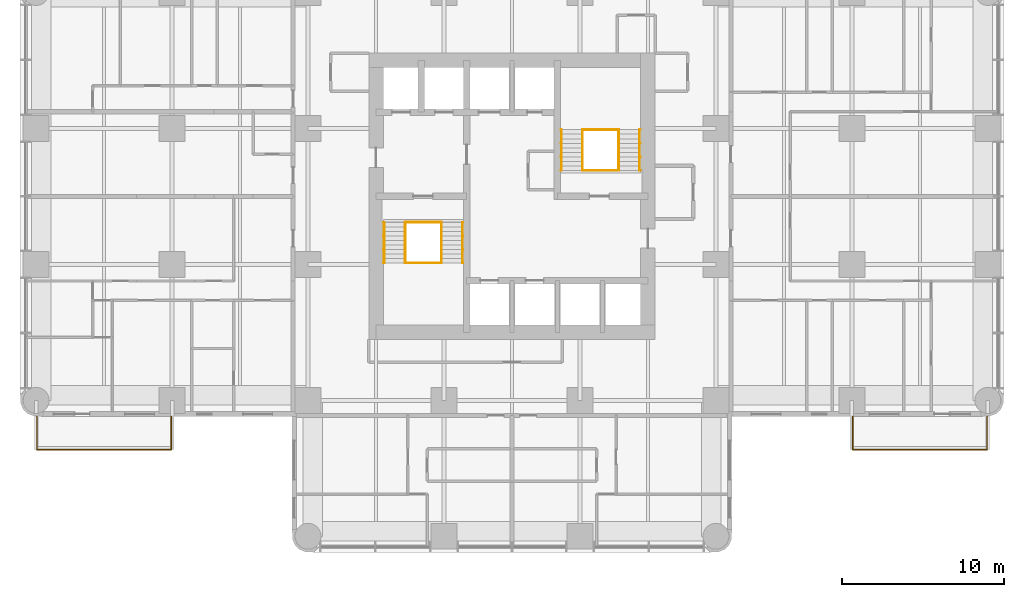
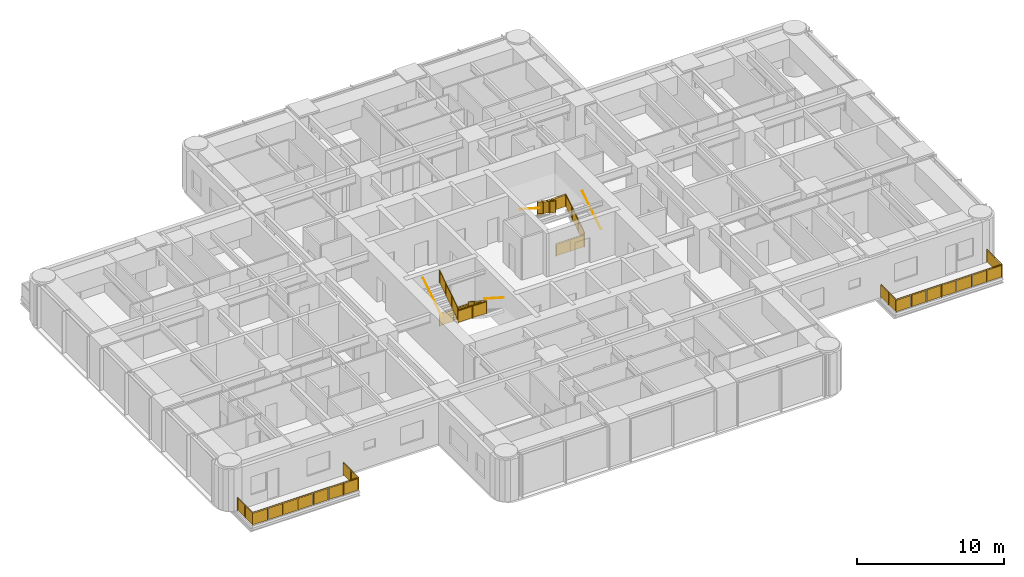
# One storey, part 13 of 14: 14 railings.
"""IFC4 building model written with IfcOpenShell, lengths in metres."""

from ifc_helpers import new_model, si_unit, direction, frame, origin, origin_2d, place, context, subcontext, project, spatial, polyline, circle, outline, extrude, material, constituent, constituent_set, type_object, element, save


model = new_model("IFC4")

# Units and contexts
model_context = context("Model", 3, precision=1e-05, world=origin(), true_north=direction((0.0, 1.0)))
body_context = subcontext(model_context, "Body", "Model", "MODEL_VIEW")
ifc_project = project(units=[si_unit("LENGTHUNIT", "METRE"), si_unit("AREAUNIT", "SQUARE_METRE"), si_unit("VOLUMEUNIT", "CUBIC_METRE"), si_unit("PLANEANGLEUNIT", "RADIAN"), si_unit("MASSUNIT", "GRAM", prefix="KILO")], contexts=[model_context])

# Site, building, storey
site_placement = place(None, origin())
site = spatial("IfcSite", under=ifc_project, at=site_placement, CompositionType="ELEMENT")
building_placement = place(site_placement, origin())
building = spatial("IfcBuilding", under=site, at=building_placement, Name="Torre Alcanfor", CompositionType="ELEMENT")
storey_placement = place(building_placement, frame((0.0, 0.0, 126.89990234375)))
storey = spatial("IfcBuildingStorey", under=building, at=storey_placement, Name="L32", CompositionType="ELEMENT", Elevation=126.89990234375)

# Railings
ifc_material_1 = material(Name="Laminated safety glass", Category="glass")
ifc_constituent_1 = constituent(ifc_material_1, Name="Infill")
ifc_material_2 = material(Name="Stainless steel ASTM A554 Grade MT 316L tube", Category="steel")
ifc_constituent_2 = constituent(ifc_material_2, Name="Posts and rail")
ifc_constituent_set = constituent_set(constituents=[ifc_constituent_1, ifc_constituent_2], Name="Balcony guard glass 1100")
railing_type_1 = type_object("IfcRailingType", Name="Balcony guard glass 1100", PredefinedType="BALUSTRADE", material=ifc_constituent_set)
railing_1_placement = place(storey_placement, frame((50.449951171875, 15.800048828125, 0.0)))
element("IfcRailing", 1, at=railing_1_placement, inside=storey, type_object=railing_type_1, Name="Balcony guard L32-E2", PredefinedType="BALUSTRADE", context=body_context, shape_type="SweptSolid", body=[
    extrude(circle(Radius=0.02392578125, at=origin_2d()), frame((0.0, 0.0, 1.076171875), z_axis=(0.0, -1.0, 0.0), x_axis=(1.0, 0.0, 0.0)), (0.0, 0.0, 1.0), 2.050048828125),
    extrude(circle(Radius=0.02392578125, at=origin_2d()), frame((0.0, -2.050048828125, 1.076171875), z_axis=(1.0, 0.0, 0.0), x_axis=(0.0, 1.0, 0.0)), (0.0, 0.0, 1.0), 8.300048828125),
    extrude(circle(Radius=0.02392578125, at=origin_2d()), frame((8.300048828125, -2.050048828125, 1.076171875), z_axis=(0.0, 1.0, 0.0), x_axis=(-1.0, 0.0, 0.0)), (0.0, 0.0, 1.0), 2.050048828125),
    extrude(circle(Radius=0.02099609375, at=origin_2d()), origin(), (0.0, 0.0, 1.0), 1.052001953125),
    extrude(circle(Radius=0.02099609375, at=origin_2d()), frame((0.0, -1.02490234375, 0.0)), (0.0, 0.0, 1.0), 1.052001953125),
    extrude(circle(Radius=0.02099609375, at=origin_2d()), frame((0.0, -2.050048828125, 0.0)), (0.0, 0.0, 1.0), 1.052001953125),
    extrude(circle(Radius=0.02099609375, at=origin_2d()), frame((1.185791015625, -2.050048828125, 0.0)), (0.0, 0.0, 1.0), 1.052001953125),
    extrude(circle(Radius=0.02099609375, at=origin_2d()), frame((2.371337890625, -2.050048828125, 0.0)), (0.0, 0.0, 1.0), 1.052001953125),
    extrude(circle(Radius=0.02099609375, at=origin_2d()), frame((3.55712890625, -2.050048828125, 0.0)), (0.0, 0.0, 1.0), 1.052001953125),
    extrude(circle(Radius=0.02099609375, at=origin_2d()), frame((4.742919921875, -2.050048828125, 0.0)), (0.0, 0.0, 1.0), 1.052001953125),
    extrude(circle(Radius=0.02099609375, at=origin_2d()), frame((5.9287109375, -2.050048828125, 0.0)), (0.0, 0.0, 1.0), 1.052001953125),
    extrude(circle(Radius=0.02099609375, at=origin_2d()), frame((7.1142578125, -2.050048828125, 0.0)), (0.0, 0.0, 1.0), 1.052001953125),
    extrude(circle(Radius=0.02099609375, at=origin_2d()), frame((8.300048828125, -2.050048828125, 0.0)), (0.0, 0.0, 1.0), 1.052001953125),
    extrude(circle(Radius=0.02099609375, at=origin_2d()), frame((8.300048828125, -1.02490234375, 0.0)), (0.0, 0.0, 1.0), 1.052001953125),
    extrude(circle(Radius=0.02099609375, at=origin_2d()), frame((8.300048828125, 0.0, 0.0)), (0.0, 0.0, 1.0), 1.052001953125),
    extrude(outline(polyline([(0.041015625, 0.050048828125), (0.984130859375, 0.050048828125), (0.984130859375, 1.001953125), (0.041015625, 1.001953125), (0.041015625, 0.050048828125)])), frame((0.005859375, 0.0, 0.0), z_axis=(-1.0, 0.0, 0.0), x_axis=(0.0, -1.0, 0.0)), (0.0, 0.0, 1.0), 0.011962890625),
    extrude(outline(polyline([(1.06591796875, 0.050048828125), (2.009033203125, 0.050048828125), (2.009033203125, 1.001953125), (1.06591796875, 1.001953125), (1.06591796875, 0.050048828125)])), frame((0.005859375, 0.0, 0.0), z_axis=(-1.0, 0.0, 0.0), x_axis=(0.0, -1.0, 0.0)), (0.0, 0.0, 1.0), 0.011962890625),
    extrude(outline(polyline([(0.041015625, 0.050048828125), (1.144775390625, 0.050048828125), (1.144775390625, 1.001953125), (0.041015625, 1.001953125), (0.041015625, 0.050048828125)])), frame((0.0, -2.0439453125, 0.0), z_axis=(0.0, -1.0, 0.0), x_axis=(1.0, 0.0, 0.0)), (0.0, 0.0, 1.0), 0.011962890625),
    extrude(outline(polyline([(1.226806640625, 0.050048828125), (2.330322265625, 0.050048828125), (2.330322265625, 1.001953125), (1.226806640625, 1.001953125), (1.226806640625, 0.050048828125)])), frame((0.0, -2.0439453125, 0.0), z_axis=(0.0, -1.0, 0.0), x_axis=(1.0, 0.0, 0.0)), (0.0, 0.0, 1.0), 0.011962890625),
    extrude(outline(polyline([(2.412353515625, 0.050048828125), (3.51611328125, 0.050048828125), (3.51611328125, 1.001953125), (2.412353515625, 1.001953125), (2.412353515625, 0.050048828125)])), frame((0.0, -2.0439453125, 0.0), z_axis=(0.0, -1.0, 0.0), x_axis=(1.0, 0.0, 0.0)), (0.0, 0.0, 1.0), 0.011962890625),
    extrude(outline(polyline([(3.59814453125, 0.050048828125), (4.701904296875, 0.050048828125), (4.701904296875, 1.001953125), (3.59814453125, 1.001953125), (3.59814453125, 0.050048828125)])), frame((0.0, -2.0439453125, 0.0), z_axis=(0.0, -1.0, 0.0), x_axis=(1.0, 0.0, 0.0)), (0.0, 0.0, 1.0), 0.011962890625),
    extrude(outline(polyline([(4.783935546875, 0.050048828125), (5.8876953125, 0.050048828125), (5.8876953125, 1.001953125), (4.783935546875, 1.001953125), (4.783935546875, 0.050048828125)])), frame((0.0, -2.0439453125, 0.0), z_axis=(0.0, -1.0, 0.0), x_axis=(1.0, 0.0, 0.0)), (0.0, 0.0, 1.0), 0.011962890625),
    extrude(outline(polyline([(5.9697265625, 0.050048828125), (7.0732421875, 0.050048828125), (7.0732421875, 1.001953125), (5.9697265625, 1.001953125), (5.9697265625, 0.050048828125)])), frame((0.0, -2.0439453125, 0.0), z_axis=(0.0, -1.0, 0.0), x_axis=(1.0, 0.0, 0.0)), (0.0, 0.0, 1.0), 0.011962890625),
    extrude(outline(polyline([(7.1552734375, 0.050048828125), (8.259033203125, 0.050048828125), (8.259033203125, 1.001953125), (7.1552734375, 1.001953125), (7.1552734375, 0.050048828125)])), frame((0.0, -2.0439453125, 0.0), z_axis=(0.0, -1.0, 0.0), x_axis=(1.0, 0.0, 0.0)), (0.0, 0.0, 1.0), 0.011962890625),
    extrude(outline(polyline([(0.041015625, 0.050048828125), (0.984130859375, 0.050048828125), (0.984130859375, 1.001953125), (0.041015625, 1.001953125), (0.041015625, 0.050048828125)])), frame((8.2939453125, -2.050048828125, 0.0), z_axis=(1.0, 0.0, 0.0), x_axis=(0.0, 1.0, 0.0)), (0.0, 0.0, 1.0), 0.011962890625),
    extrude(outline(polyline([(1.06591796875, 0.050048828125), (2.009033203125, 0.050048828125), (2.009033203125, 1.001953125), (1.06591796875, 1.001953125), (1.06591796875, 0.050048828125)])), frame((8.2939453125, -2.050048828125, 0.0), z_axis=(1.0, 0.0, 0.0), x_axis=(0.0, 1.0, 0.0)), (0.0, 0.0, 1.0), 0.011962890625),
])
railing_2_placement = place(storey_placement, frame((8.35009765625, 15.800048828125, 0.0)))
element("IfcRailing", 2, at=railing_2_placement, inside=storey, type_object=railing_type_1, Name="Balcony guard L32-W1", PredefinedType="BALUSTRADE", context=body_context, shape_type="SweptSolid", body=[
    extrude(circle(Radius=0.02392578125, at=origin_2d()), frame((0.0, 0.0, 1.076171875), z_axis=(0.0, -1.0, 0.0), x_axis=(1.0, 0.0, 0.0)), (0.0, 0.0, 1.0), 2.050048828125),
    extrude(circle(Radius=0.02392578125, at=origin_2d()), frame((0.0, -2.050048828125, 1.076171875), z_axis=(-1.0, 0.0, 0.0), x_axis=(0.0, -1.0, 0.0)), (0.0, 0.0, 1.0), 8.300048828125),
    extrude(circle(Radius=0.02392578125, at=origin_2d()), frame((-8.300048828125, -2.050048828125, 1.076171875), z_axis=(0.0, 1.0, 0.0), x_axis=(-1.0, 0.0, 0.0)), (0.0, 0.0, 1.0), 2.050048828125),
    extrude(circle(Radius=0.02099609375, at=origin_2d()), origin(), (0.0, 0.0, 1.0), 1.052001953125),
    extrude(circle(Radius=0.02099609375, at=origin_2d()), frame((0.0, -1.02490234375, 0.0)), (0.0, 0.0, 1.0), 1.052001953125),
    extrude(circle(Radius=0.02099609375, at=origin_2d()), frame((0.0, -2.050048828125, 0.0)), (0.0, 0.0, 1.0), 1.052001953125),
    extrude(circle(Radius=0.02099609375, at=origin_2d()), frame((-1.185791015625, -2.050048828125, 0.0)), (0.0, 0.0, 1.0), 1.052001953125),
    extrude(circle(Radius=0.02099609375, at=origin_2d()), frame((-2.371337890625, -2.050048828125, 0.0)), (0.0, 0.0, 1.0), 1.052001953125),
    extrude(circle(Radius=0.02099609375, at=origin_2d()), frame((-3.55712890625, -2.050048828125, 0.0)), (0.0, 0.0, 1.0), 1.052001953125),
    extrude(circle(Radius=0.02099609375, at=origin_2d()), frame((-4.742919921875, -2.050048828125, 0.0)), (0.0, 0.0, 1.0), 1.052001953125),
    extrude(circle(Radius=0.02099609375, at=origin_2d()), frame((-5.9287109375, -2.050048828125, 0.0)), (0.0, 0.0, 1.0), 1.052001953125),
    extrude(circle(Radius=0.02099609375, at=origin_2d()), frame((-7.1142578125, -2.050048828125, 0.0)), (0.0, 0.0, 1.0), 1.052001953125),
    extrude(circle(Radius=0.02099609375, at=origin_2d()), frame((-8.300048828125, -2.050048828125, 0.0)), (0.0, 0.0, 1.0), 1.052001953125),
    extrude(circle(Radius=0.02099609375, at=origin_2d()), frame((-8.300048828125, -1.02490234375, 0.0)), (0.0, 0.0, 1.0), 1.052001953125),
    extrude(circle(Radius=0.02099609375, at=origin_2d()), frame((-8.300048828125, 0.0, 0.0)), (0.0, 0.0, 1.0), 1.052001953125),
    extrude(outline(polyline([(0.041015625, 0.050048828125), (0.984130859375, 0.050048828125), (0.984130859375, 1.001953125), (0.041015625, 1.001953125), (0.041015625, 0.050048828125)])), frame((0.005859375, 0.0, 0.0), z_axis=(-1.0, 0.0, 0.0), x_axis=(0.0, -1.0, 0.0)), (0.0, 0.0, 1.0), 0.011962890625),
    extrude(outline(polyline([(1.06591796875, 0.050048828125), (2.009033203125, 0.050048828125), (2.009033203125, 1.001953125), (1.06591796875, 1.001953125), (1.06591796875, 0.050048828125)])), frame((0.005859375, 0.0, 0.0), z_axis=(-1.0, 0.0, 0.0), x_axis=(0.0, -1.0, 0.0)), (0.0, 0.0, 1.0), 0.011962890625),
    extrude(outline(polyline([(0.041015625, 0.050048828125), (1.144775390625, 0.050048828125), (1.144775390625, 1.001953125), (0.041015625, 1.001953125), (0.041015625, 0.050048828125)])), frame((0.0, -2.05615234375, 0.0), z_axis=(0.0, 1.0, 0.0), x_axis=(-1.0, 0.0, 0.0)), (0.0, 0.0, 1.0), 0.011962890625),
    extrude(outline(polyline([(1.226806640625, 0.050048828125), (2.330322265625, 0.050048828125), (2.330322265625, 1.001953125), (1.226806640625, 1.001953125), (1.226806640625, 0.050048828125)])), frame((0.0, -2.05615234375, 0.0), z_axis=(0.0, 1.0, 0.0), x_axis=(-1.0, 0.0, 0.0)), (0.0, 0.0, 1.0), 0.011962890625),
    extrude(outline(polyline([(2.412353515625, 0.050048828125), (3.51611328125, 0.050048828125), (3.51611328125, 1.001953125), (2.412353515625, 1.001953125), (2.412353515625, 0.050048828125)])), frame((0.0, -2.05615234375, 0.0), z_axis=(0.0, 1.0, 0.0), x_axis=(-1.0, 0.0, 0.0)), (0.0, 0.0, 1.0), 0.011962890625),
    extrude(outline(polyline([(3.59814453125, 0.050048828125), (4.701904296875, 0.050048828125), (4.701904296875, 1.001953125), (3.59814453125, 1.001953125), (3.59814453125, 0.050048828125)])), frame((0.0, -2.05615234375, 0.0), z_axis=(0.0, 1.0, 0.0), x_axis=(-1.0, 0.0, 0.0)), (0.0, 0.0, 1.0), 0.011962890625),
    extrude(outline(polyline([(4.783935546875, 0.050048828125), (5.8876953125, 0.050048828125), (5.8876953125, 1.001953125), (4.783935546875, 1.001953125), (4.783935546875, 0.050048828125)])), frame((0.0, -2.05615234375, 0.0), z_axis=(0.0, 1.0, 0.0), x_axis=(-1.0, 0.0, 0.0)), (0.0, 0.0, 1.0), 0.011962890625),
    extrude(outline(polyline([(5.9697265625, 0.050048828125), (7.0732421875, 0.050048828125), (7.0732421875, 1.001953125), (5.9697265625, 1.001953125), (5.9697265625, 0.050048828125)])), frame((0.0, -2.05615234375, 0.0), z_axis=(0.0, 1.0, 0.0), x_axis=(-1.0, 0.0, 0.0)), (0.0, 0.0, 1.0), 0.011962890625),
    extrude(outline(polyline([(7.1552734375, 0.050048828125), (8.259033203125, 0.050048828125), (8.259033203125, 1.001953125), (7.1552734375, 1.001953125), (7.1552734375, 0.050048828125)])), frame((0.0, -2.05615234375, 0.0), z_axis=(0.0, 1.0, 0.0), x_axis=(-1.0, 0.0, 0.0)), (0.0, 0.0, 1.0), 0.011962890625),
    extrude(outline(polyline([(0.041015625, 0.050048828125), (0.984130859375, 0.050048828125), (0.984130859375, 1.001953125), (0.041015625, 1.001953125), (0.041015625, 0.050048828125)])), frame((-8.30615234375, -2.050048828125, 0.0), z_axis=(1.0, 0.0, 0.0), x_axis=(0.0, 1.0, 0.0)), (0.0, 0.0, 1.0), 0.011962890625),
    extrude(outline(polyline([(1.06591796875, 0.050048828125), (2.009033203125, 0.050048828125), (2.009033203125, 1.001953125), (1.06591796875, 1.001953125), (1.06591796875, 0.050048828125)])), frame((-8.30615234375, -2.050048828125, 0.0), z_axis=(1.0, 0.0, 0.0), x_axis=(0.0, 1.0, 0.0)), (0.0, 0.0, 1.0), 0.011962890625),
])
ifc_material_3 = material(Name="Steel ASTM A500 Grade C hollow sections", Category="steel")
railing_type_2 = type_object("IfcRailingType", Name="Stair guard and handrail 1100", PredefinedType="GUARDRAIL", material=ifc_material_3)
railing_3_placement = place(storey_placement, frame((25.050048828125, 27.800048828125, 0.18017578125)))
element("IfcRailing", 3, at=railing_3_placement, inside=storey, type_object=railing_type_2, Name="Stair guard S1 L32 flight 1", PredefinedType="GUARDRAIL", context=body_context, shape_type="SweptSolid", body=[
    extrude(circle(Radius=0.02392578125, at=origin_2d()), frame((0.0, 0.0, 1.076171875), z_axis=(0.0, -0.841199657755, 0.540724639528), x_axis=(1.0, 0.0, 0.0)), (0.0, 0.0, 1.0), 2.995849609375),
    extrude(circle(Radius=0.02099609375, at=origin_2d()), origin(), (0.0, 0.0, 1.0), 1.052001953125),
    extrude(circle(Radius=0.02099609375, at=origin_2d()), frame((0.0, -0.840087890625, 0.5400390625)), (0.0, 0.0, 1.0), 1.052001953125),
    extrude(circle(Radius=0.02099609375, at=origin_2d()), frame((0.0, -1.679931640625, 1.079833984375)), (0.0, 0.0, 1.0), 1.052001953125),
    extrude(circle(Radius=0.02099609375, at=origin_2d()), frame((0.0, -2.52001953125, 1.619873046875)), (0.0, 0.0, 1.0), 1.052001953125),
    extrude(outline(polyline([(0.041015625, 0.076416015625), (0.799072265625, 0.563720703125), (0.799072265625, 1.515625), (0.041015625, 1.0283203125), (0.041015625, 0.076416015625)])), frame((0.005859375, 0.0, 0.0), z_axis=(-1.0, 0.0, 0.0), x_axis=(0.0, -1.0, 0.0)), (0.0, 0.0, 1.0), 0.011962890625),
    extrude(outline(polyline([(0.881103515625, 0.6162109375), (1.638916015625, 1.103515625), (1.638916015625, 2.0556640625), (0.881103515625, 1.568359375), (0.881103515625, 0.6162109375)])), frame((0.005859375, 0.0, 0.0), z_axis=(-1.0, 0.0, 0.0), x_axis=(0.0, -1.0, 0.0)), (0.0, 0.0, 1.0), 0.011962890625),
    extrude(outline(polyline([(1.720947265625, 1.15625), (2.47900390625, 1.6435546875), (2.47900390625, 2.595458984375), (1.720947265625, 2.108154296875), (1.720947265625, 1.15625)])), frame((0.005859375, 0.0, 0.0), z_axis=(-1.0, 0.0, 0.0), x_axis=(0.0, -1.0, 0.0)), (0.0, 0.0, 1.0), 0.011962890625),
])
railing_4_placement = place(storey_placement, frame((22.800048828125, 25.280029296875, 1.97998046875)))
element("IfcRailing", 4, at=railing_4_placement, inside=storey, type_object=railing_type_2, Name="Stair guard S1 L32 flight 2", PredefinedType="GUARDRAIL", context=body_context, shape_type="SweptSolid", body=[
    extrude(circle(Radius=0.02392578125, at=origin_2d()), frame((0.0, 0.0, 1.076171875), z_axis=(0.0, 0.841162588446, 0.540782303519), x_axis=(-1.0, 0.0, 0.0)), (0.0, 0.0, 1.0), 2.995849609375),
    extrude(circle(Radius=0.02099609375, at=origin_2d()), origin(), (0.0, 0.0, 1.0), 1.052001953125),
    extrude(circle(Radius=0.02099609375, at=origin_2d()), frame((0.0, 0.840087890625, 0.5400390625)), (0.0, 0.0, 1.0), 1.052001953125),
    extrude(circle(Radius=0.02099609375, at=origin_2d()), frame((0.0, 1.679931640625, 1.080078125)), (0.0, 0.0, 1.0), 1.052001953125),
    extrude(circle(Radius=0.02099609375, at=origin_2d()), frame((0.0, 2.52001953125, 1.6201171875)), (0.0, 0.0, 1.0), 1.052001953125),
    extrude(outline(polyline([(0.041015625, 0.076416015625), (0.799072265625, 0.563720703125), (0.799072265625, 1.515625), (0.041015625, 1.0283203125), (0.041015625, 0.076416015625)])), frame((-0.005859375, 0.0, 0.0), z_axis=(1.0, 0.0, 0.0), x_axis=(0.0, 1.0, 0.0)), (0.0, 0.0, 1.0), 0.011962890625),
    extrude(outline(polyline([(0.881103515625, 0.616455078125), (1.638916015625, 1.103759765625), (1.638916015625, 2.0556640625), (0.881103515625, 1.568359375), (0.881103515625, 0.616455078125)])), frame((-0.005859375, 0.0, 0.0), z_axis=(1.0, 0.0, 0.0), x_axis=(0.0, 1.0, 0.0)), (0.0, 0.0, 1.0), 0.011962890625),
    extrude(outline(polyline([(1.720947265625, 1.156494140625), (2.47900390625, 1.643798828125), (2.47900390625, 2.595703125), (1.720947265625, 2.1083984375), (1.720947265625, 1.156494140625)])), frame((-0.005859375, 0.0, 0.0), z_axis=(1.0, 0.0, 0.0), x_axis=(0.0, 1.0, 0.0)), (0.0, 0.0, 1.0), 0.011962890625),
])
for number, where, name in (
    (5, (22.800048828125, 27.800048828125, 0.0), "Stair well guard S1 L32 floor landing"),
    (6, (22.800048828125, 25.280029296875, 1.800048828125), "Stair well guard S1 L32 half landing"),
):
    element("IfcRailing", number, at=place(storey_placement, frame(where)), inside=storey, type_object=railing_type_2, Name=name, PredefinedType="GUARDRAIL", context=body_context, shape_type="SweptSolid", body=[
        extrude(circle(Radius=0.02392578125, at=origin_2d()), frame((0.0, 0.0, 1.076171875), z_axis=(1.0, 0.0, 0.0), x_axis=(0.0, 1.0, 0.0)), (0.0, 0.0, 1.0), 2.25),
        extrude(circle(Radius=0.02099609375, at=origin_2d()), origin(), (0.0, 0.0, 1.0), 1.052001953125),
        extrude(circle(Radius=0.02099609375, at=origin_2d()), frame((1.125, 0.0, 0.0)), (0.0, 0.0, 1.0), 1.052001953125),
        extrude(circle(Radius=0.02099609375, at=origin_2d()), frame((2.25, 0.0, 0.0)), (0.0, 0.0, 1.0), 1.052001953125),
        extrude(outline(polyline([(0.041015625, 0.050048828125), (1.083984375, 0.050048828125), (1.083984375, 1.001953125), (0.041015625, 1.001953125), (0.041015625, 0.050048828125)])), frame((0.0, 0.005859375, 0.0), z_axis=(0.0, -1.0, 0.0), x_axis=(1.0, 0.0, 0.0)), (0.0, 0.0, 1.0), 0.011962890625),
        extrude(outline(polyline([(1.166015625, 0.050048828125), (2.208984375, 0.050048828125), (2.208984375, 1.001953125), (1.166015625, 1.001953125), (1.166015625, 0.050048828125)])), frame((0.0, 0.005859375, 0.0), z_axis=(0.0, -1.0, 0.0), x_axis=(1.0, 0.0, 0.0)), (0.0, 0.0, 1.0), 0.011962890625),
    ])
railing_5_placement = place(storey_placement, frame((36.0, 31.0, 0.18017578125)))
element("IfcRailing", 7, at=railing_5_placement, inside=storey, type_object=railing_type_2, Name="Stair guard S2 L32 flight 1", PredefinedType="GUARDRAIL", context=body_context, shape_type="SweptSolid", body=[
    extrude(circle(Radius=0.02392578125, at=origin_2d()), frame((0.0, 0.0, 1.076171875), z_axis=(0.0, 0.841199657755, 0.540724639528), x_axis=(-1.0, 0.0, 0.0)), (0.0, 0.0, 1.0), 2.995849609375),
    extrude(circle(Radius=0.02099609375, at=origin_2d()), origin(), (0.0, 0.0, 1.0), 1.052001953125),
    extrude(circle(Radius=0.02099609375, at=origin_2d()), frame((0.0, 0.840087890625, 0.5400390625)), (0.0, 0.0, 1.0), 1.052001953125),
    extrude(circle(Radius=0.02099609375, at=origin_2d()), frame((0.0, 1.679931640625, 1.079833984375)), (0.0, 0.0, 1.0), 1.052001953125),
    extrude(circle(Radius=0.02099609375, at=origin_2d()), frame((0.0, 2.52001953125, 1.619873046875)), (0.0, 0.0, 1.0), 1.052001953125),
    extrude(outline(polyline([(0.041015625, 0.076416015625), (0.799072265625, 0.563720703125), (0.799072265625, 1.515625), (0.041015625, 1.0283203125), (0.041015625, 0.076416015625)])), frame((-0.005859375, 0.0, 0.0), z_axis=(1.0, 0.0, 0.0), x_axis=(0.0, 1.0, 0.0)), (0.0, 0.0, 1.0), 0.011962890625),
    extrude(outline(polyline([(0.881103515625, 0.6162109375), (1.638916015625, 1.103515625), (1.638916015625, 2.0556640625), (0.881103515625, 1.568359375), (0.881103515625, 0.6162109375)])), frame((-0.005859375, 0.0, 0.0), z_axis=(1.0, 0.0, 0.0), x_axis=(0.0, 1.0, 0.0)), (0.0, 0.0, 1.0), 0.011962890625),
    extrude(outline(polyline([(1.720947265625, 1.15625), (2.47900390625, 1.6435546875), (2.47900390625, 2.595458984375), (1.720947265625, 2.108154296875), (1.720947265625, 1.15625)])), frame((-0.005859375, 0.0, 0.0), z_axis=(1.0, 0.0, 0.0), x_axis=(0.0, 1.0, 0.0)), (0.0, 0.0, 1.0), 0.011962890625),
])
railing_6_placement = place(storey_placement, frame((33.75, 33.52001953125, 1.97998046875)))
element("IfcRailing", 8, at=railing_6_placement, inside=storey, type_object=railing_type_2, Name="Stair guard S2 L32 flight 2", PredefinedType="GUARDRAIL", context=body_context, shape_type="SweptSolid", body=[
    extrude(circle(Radius=0.02392578125, at=origin_2d()), frame((0.0, 0.0, 1.076171875), z_axis=(0.0, -0.841162588446, 0.540782303519), x_axis=(1.0, 0.0, 0.0)), (0.0, 0.0, 1.0), 2.995849609375),
    extrude(circle(Radius=0.02099609375, at=origin_2d()), origin(), (0.0, 0.0, 1.0), 1.052001953125),
    extrude(circle(Radius=0.02099609375, at=origin_2d()), frame((0.0, -0.840087890625, 0.5400390625)), (0.0, 0.0, 1.0), 1.052001953125),
    extrude(circle(Radius=0.02099609375, at=origin_2d()), frame((0.0, -1.679931640625, 1.080078125)), (0.0, 0.0, 1.0), 1.052001953125),
    extrude(circle(Radius=0.02099609375, at=origin_2d()), frame((0.0, -2.52001953125, 1.6201171875)), (0.0, 0.0, 1.0), 1.052001953125),
    extrude(outline(polyline([(0.041015625, 0.076416015625), (0.799072265625, 0.563720703125), (0.799072265625, 1.515625), (0.041015625, 1.0283203125), (0.041015625, 0.076416015625)])), frame((0.005859375, 0.0, 0.0), z_axis=(-1.0, 0.0, 0.0), x_axis=(0.0, -1.0, 0.0)), (0.0, 0.0, 1.0), 0.011962890625),
    extrude(outline(polyline([(0.881103515625, 0.616455078125), (1.638916015625, 1.103759765625), (1.638916015625, 2.0556640625), (0.881103515625, 1.568359375), (0.881103515625, 0.616455078125)])), frame((0.005859375, 0.0, 0.0), z_axis=(-1.0, 0.0, 0.0), x_axis=(0.0, -1.0, 0.0)), (0.0, 0.0, 1.0), 0.011962890625),
    extrude(outline(polyline([(1.720947265625, 1.156494140625), (2.47900390625, 1.643798828125), (2.47900390625, 2.595703125), (1.720947265625, 2.1083984375), (1.720947265625, 1.156494140625)])), frame((0.005859375, 0.0, 0.0), z_axis=(-1.0, 0.0, 0.0), x_axis=(0.0, -1.0, 0.0)), (0.0, 0.0, 1.0), 0.011962890625),
])
for number, where, name in (
    (9, (33.75, 31.0, 0.0), "Stair well guard S2 L32 floor landing"),
    (10, (33.75, 33.52001953125, 1.800048828125), "Stair well guard S2 L32 half landing"),
):
    element("IfcRailing", number, at=place(storey_placement, frame(where)), inside=storey, type_object=railing_type_2, Name=name, PredefinedType="GUARDRAIL", context=body_context, shape_type="SweptSolid", body=[
        extrude(circle(Radius=0.02392578125, at=origin_2d()), frame((0.0, 0.0, 1.076171875), z_axis=(1.0, 0.0, 0.0), x_axis=(0.0, 1.0, 0.0)), (0.0, 0.0, 1.0), 2.25),
        extrude(circle(Radius=0.02099609375, at=origin_2d()), origin(), (0.0, 0.0, 1.0), 1.052001953125),
        extrude(circle(Radius=0.02099609375, at=origin_2d()), frame((1.125, 0.0, 0.0)), (0.0, 0.0, 1.0), 1.052001953125),
        extrude(circle(Radius=0.02099609375, at=origin_2d()), frame((2.25, 0.0, 0.0)), (0.0, 0.0, 1.0), 1.052001953125),
        extrude(outline(polyline([(0.041015625, 0.050048828125), (1.083984375, 0.050048828125), (1.083984375, 1.001953125), (0.041015625, 1.001953125), (0.041015625, 0.050048828125)])), frame((0.0, 0.005859375, 0.0), z_axis=(0.0, -1.0, 0.0), x_axis=(1.0, 0.0, 0.0)), (0.0, 0.0, 1.0), 0.011962890625),
        extrude(outline(polyline([(1.166015625, 0.050048828125), (2.208984375, 0.050048828125), (2.208984375, 1.001953125), (1.166015625, 1.001953125), (1.166015625, 0.050048828125)])), frame((0.0, 0.005859375, 0.0), z_axis=(0.0, -1.0, 0.0), x_axis=(1.0, 0.0, 0.0)), (0.0, 0.0, 1.0), 0.011962890625),
    ])
ifc_material_4 = material(Name="Steel ASTM A500 Grade C hollow sections", Category="steel")
railing_type_3 = type_object("IfcRailingType", Name="Stair wall handrail 900", PredefinedType="HANDRAIL", material=ifc_material_4)
railing_7_placement = place(storey_placement, frame((26.3349609375, 27.800048828125, 0.18017578125)))
element("IfcRailing", 11, at=railing_7_placement, inside=storey, type_object=railing_type_3, Name="Stair handrail S1 L32 flight 1", PredefinedType="HANDRAIL", context=body_context, shape_type="SweptSolid", body=[
    extrude(circle(Radius=0.02392578125, at=origin_2d()), frame((0.0, 0.0, 0.8759765625), z_axis=(0.0, -0.841199657755, 0.540724639528), x_axis=(1.0, 0.0, 0.0)), (0.0, 0.0, 1.0), 2.995849609375),
    extrude(circle(Radius=0.008056640625, at=origin_2d()), frame((0.0, 0.0, 0.8759765625), z_axis=(1.0, 0.0, 0.0), x_axis=(0.0, 0.0, 1.0)), (0.0, 0.0, 1.0), 0.06494140625),
    extrude(circle(Radius=0.008056640625, at=origin_2d()), frame((0.0, -0.840087890625, 1.415771484375), z_axis=(1.0, 0.0, 0.0), x_axis=(0.0, 0.0, 1.0)), (0.0, 0.0, 1.0), 0.06494140625),
    extrude(circle(Radius=0.008056640625, at=origin_2d()), frame((0.0, -1.679931640625, 1.955810546875), z_axis=(1.0, 0.0, 0.0), x_axis=(0.0, 0.0, 1.0)), (0.0, 0.0, 1.0), 0.06494140625),
    extrude(circle(Radius=0.008056640625, at=origin_2d()), frame((0.0, -2.52001953125, 2.49560546875), z_axis=(1.0, 0.0, 0.0), x_axis=(0.0, 0.0, 1.0)), (0.0, 0.0, 1.0), 0.06494140625),
])
railing_8_placement = place(storey_placement, frame((21.514892578125, 25.280029296875, 1.97998046875)))
element("IfcRailing", 12, at=railing_8_placement, inside=storey, type_object=railing_type_3, Name="Stair handrail S1 L32 flight 2", PredefinedType="HANDRAIL", context=body_context, shape_type="SweptSolid", body=[
    extrude(circle(Radius=0.02392578125, at=origin_2d()), frame((0.0, 0.0, 0.8759765625), z_axis=(0.0, 0.841162588446, 0.540782303519), x_axis=(-1.0, 0.0, 0.0)), (0.0, 0.0, 1.0), 2.995849609375),
    extrude(circle(Radius=0.008056640625, at=origin_2d()), frame((0.0, 0.0, 0.8759765625), z_axis=(-1.0, 0.0, 0.0), x_axis=(0.0, 0.0, 1.0)), (0.0, 0.0, 1.0), 0.06494140625),
    extrude(circle(Radius=0.008056640625, at=origin_2d()), frame((0.0, 0.840087890625, 1.416015625), z_axis=(-1.0, 0.0, 0.0), x_axis=(0.0, 0.0, 1.0)), (0.0, 0.0, 1.0), 0.06494140625),
    extrude(circle(Radius=0.008056640625, at=origin_2d()), frame((0.0, 1.679931640625, 1.9560546875), z_axis=(-1.0, 0.0, 0.0), x_axis=(0.0, 0.0, 1.0)), (0.0, 0.0, 1.0), 0.06494140625),
    extrude(circle(Radius=0.008056640625, at=origin_2d()), frame((0.0, 2.52001953125, 2.49609375), z_axis=(-1.0, 0.0, 0.0), x_axis=(0.0, 0.0, 1.0)), (0.0, 0.0, 1.0), 0.06494140625),
])
railing_9_placement = place(storey_placement, frame((37.284912109375, 31.0, 0.18017578125)))
element("IfcRailing", 13, at=railing_9_placement, inside=storey, type_object=railing_type_3, Name="Stair handrail S2 L32 flight 1", PredefinedType="HANDRAIL", context=body_context, shape_type="SweptSolid", body=[
    extrude(circle(Radius=0.02392578125, at=origin_2d()), frame((0.0, 0.0, 0.8759765625), z_axis=(0.0, 0.841199657755, 0.540724639528), x_axis=(-1.0, 0.0, 0.0)), (0.0, 0.0, 1.0), 2.995849609375),
    extrude(circle(Radius=0.008056640625, at=origin_2d()), frame((0.0, 0.0, 0.8759765625), z_axis=(1.0, 0.0, 0.0), x_axis=(0.0, 0.0, 1.0)), (0.0, 0.0, 1.0), 0.06494140625),
    extrude(circle(Radius=0.008056640625, at=origin_2d()), frame((0.0, 0.840087890625, 1.415771484375), z_axis=(1.0, 0.0, 0.0), x_axis=(0.0, 0.0, 1.0)), (0.0, 0.0, 1.0), 0.06494140625),
    extrude(circle(Radius=0.008056640625, at=origin_2d()), frame((0.0, 1.679931640625, 1.955810546875), z_axis=(1.0, 0.0, 0.0), x_axis=(0.0, 0.0, 1.0)), (0.0, 0.0, 1.0), 0.06494140625),
    extrude(circle(Radius=0.008056640625, at=origin_2d()), frame((0.0, 2.52001953125, 2.49560546875), z_axis=(1.0, 0.0, 0.0), x_axis=(0.0, 0.0, 1.0)), (0.0, 0.0, 1.0), 0.06494140625),
])
railing_10_placement = place(storey_placement, frame((32.465087890625, 33.52001953125, 1.97998046875)))
element("IfcRailing", 14, at=railing_10_placement, inside=storey, type_object=railing_type_3, Name="Stair handrail S2 L32 flight 2", PredefinedType="HANDRAIL", context=body_context, shape_type="SweptSolid", body=[
    extrude(circle(Radius=0.02392578125, at=origin_2d()), frame((0.0, 0.0, 0.8759765625), z_axis=(0.0, -0.841162588446, 0.540782303519), x_axis=(1.0, 0.0, 0.0)), (0.0, 0.0, 1.0), 2.995849609375),
    extrude(circle(Radius=0.008056640625, at=origin_2d()), frame((0.0, 0.0, 0.8759765625), z_axis=(-1.0, 0.0, 0.0), x_axis=(0.0, 0.0, 1.0)), (0.0, 0.0, 1.0), 0.06494140625),
    extrude(circle(Radius=0.008056640625, at=origin_2d()), frame((0.0, -0.840087890625, 1.416015625), z_axis=(-1.0, 0.0, 0.0), x_axis=(0.0, 0.0, 1.0)), (0.0, 0.0, 1.0), 0.06494140625),
    extrude(circle(Radius=0.008056640625, at=origin_2d()), frame((0.0, -1.679931640625, 1.9560546875), z_axis=(-1.0, 0.0, 0.0), x_axis=(0.0, 0.0, 1.0)), (0.0, 0.0, 1.0), 0.06494140625),
    extrude(circle(Radius=0.008056640625, at=origin_2d()), frame((0.0, -2.52001953125, 2.49609375), z_axis=(-1.0, 0.0, 0.0), x_axis=(0.0, 0.0, 1.0)), (0.0, 0.0, 1.0), 0.06494140625),
])

save(model, "model.ifc")
